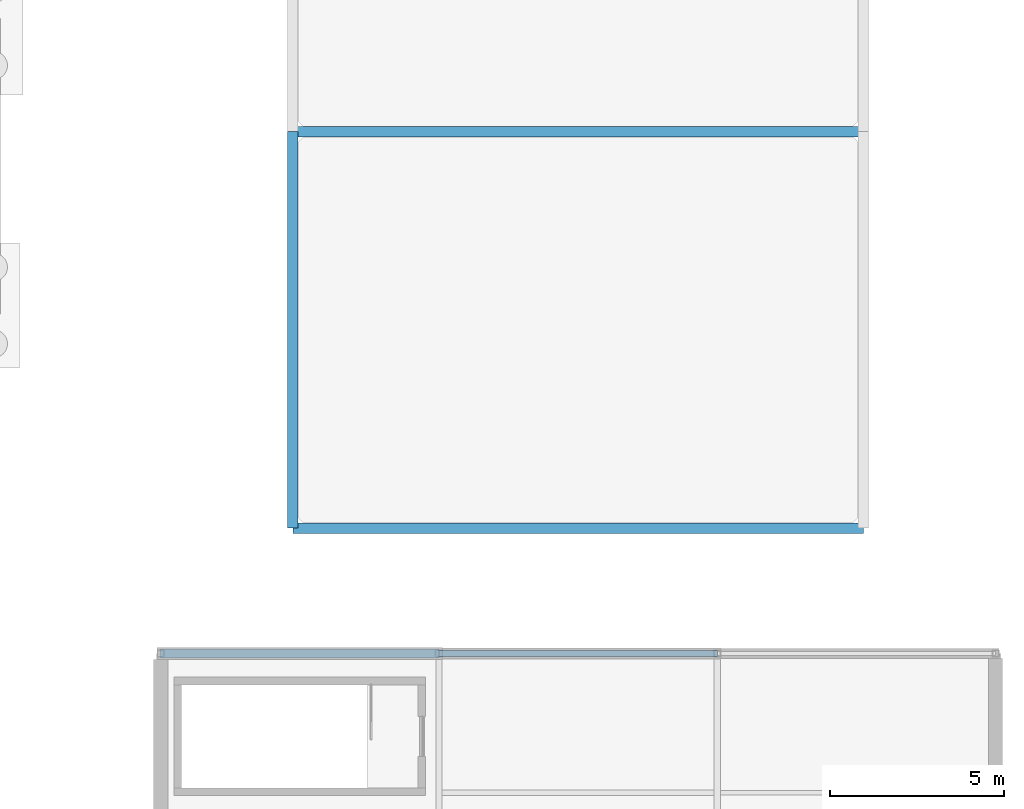
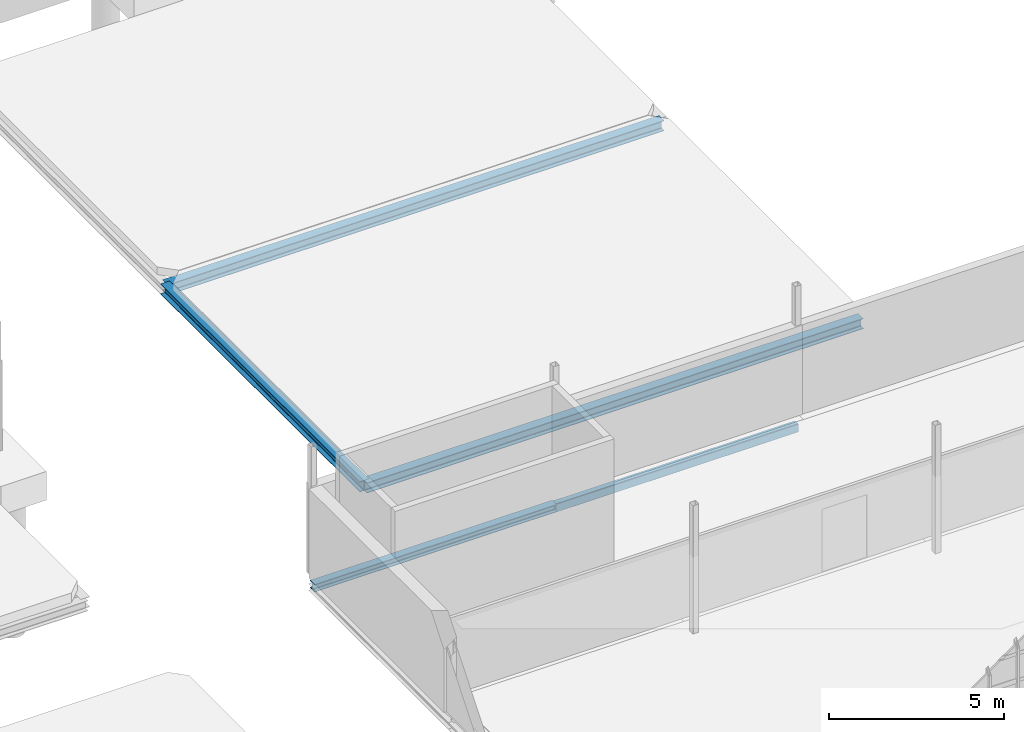
# One storey, part 38 of 125: 5 beams.
"""IFC4 building model written with IfcOpenShell, lengths in metres."""

from ifc_helpers import new_model, si_unit, direction, frame, origin, origin_2d, place, context, subcontext, project, spatial, hollow_rectangle, i_section, extrude, material, material_profile, profile_set, type_object, element, save


model = new_model("IFC4")

# Units and contexts
model_context = context("Model", 3, precision=1e-05, world=origin(), true_north=direction((0.0, 1.0)))
body_context = subcontext(model_context, "Body", "Model", "MODEL_VIEW")
ifc_project = project(units=[si_unit("LENGTHUNIT", "METRE"), si_unit("AREAUNIT", "SQUARE_METRE"), si_unit("VOLUMEUNIT", "CUBIC_METRE"), si_unit("PLANEANGLEUNIT", "RADIAN"), si_unit("MASSUNIT", "GRAM", prefix="KILO")], contexts=[model_context])

# Site, building, storey
site_placement = place(None, origin())
site = spatial("IfcSite", under=ifc_project, at=site_placement, CompositionType="ELEMENT")
building_placement = place(site_placement, origin())
building = spatial("IfcBuilding", under=site, at=building_placement, Name="Serraforn Aerial Cableway Station", CompositionType="ELEMENT")
storey_placement = place(building_placement, frame((0.0, 0.0, 4.5)))
storey = spatial("IfcBuildingStorey", under=building, at=storey_placement, Name="L01", CompositionType="ELEMENT", Elevation=4.5)

# Beams
ifc_material_1 = material(Name="Steel S355JR", Category="steel")
ifc_material_profile_1 = material_profile(ifc_material_1, i_section(OverallWidth=0.300048828125, OverallDepth=0.360107421875, WebThickness=0.010009765625, FlangeThickness=0.017578125, FilletRadius=0.027099609375, at=origin_2d()), Name="HEA 360")
ifc_profile_set_1 = profile_set([ifc_material_profile_1], Name="Steel S355JR")
beam_type_1 = type_object("IfcBeamType", Name="BM-ST-HEA360", PredefinedType="BEAM", material=ifc_profile_set_1)
for number, where, z_axis, x_axis, name in (
    (1, (147.800048828125, 19.60009765625, -0.445068359375), (1.0, 0.0, 0.0), (0.0, 1.0, 0.0), "Colonnade Spandrel Beam EFX-1-1"),
    (2, (147.800048828125, 31.0, -0.445068359375), (1.0, 0.0, 0.0), (0.0, 1.0, 0.0), "Colonnade Spandrel Beam EFX-1-2"),
):
    element("IfcBeam", number, at=place(storey_placement, frame(where, z_axis=z_axis, x_axis=x_axis)), inside=storey, type_object=beam_type_1, Name=name, PredefinedType="BEAM", context=body_context, shape_type="SweptSolid", body=[
        extrude(i_section(OverallWidth=0.300048828125, OverallDepth=0.360107421875, WebThickness=0.010009765625, FlangeThickness=0.017578125, FilletRadius=0.027099609375, at=origin_2d()), origin(), (0.0, 0.0, 1.0), 16.39990234375),
    ])
beam_1_placement = place(storey_placement, frame((147.800048828125, 19.60009765625, -0.445068359375), z_axis=(0.0, 1.0, 0.0), x_axis=(-1.0, 0.0, 0.0)))
element("IfcBeam", 3, at=beam_1_placement, inside=storey, type_object=beam_type_1, Name="Colonnade Cross Beam EFY-1-1", PredefinedType="BEAM", context=body_context, shape_type="SweptSolid", body=[
    extrude(i_section(OverallWidth=0.300048828125, OverallDepth=0.360107421875, WebThickness=0.010009765625, FlangeThickness=0.017578125, FilletRadius=0.027099609375, at=origin_2d()), origin(), (0.0, 0.0, 1.0), 11.39990234375),
])
ifc_material_2 = material(Name="Steel S355J2", Category="steel")
ifc_material_profile_2 = material_profile(ifc_material_2, i_section(OverallWidth=0.260009765625, OverallDepth=0.260009765625, WebThickness=0.010009765625, FlangeThickness=0.017578125, FilletRadius=0.02392578125, at=origin_2d()), Name="HEB 260")
ifc_profile_set_2 = profile_set([ifc_material_profile_2], Name="Steel S355J2")
beam_type_2 = type_object("IfcBeamType", Name="BM-ST-HEB260", PredefinedType="BEAM", material=ifc_profile_set_2)
beam_2_placement = place(storey_placement, frame((144.0, 16.0, -0.449951171875), z_axis=(1.0, 0.0, 0.0), x_axis=(0.0, 1.0, 0.0)))
element("IfcBeam", 4, at=beam_2_placement, inside=storey, type_object=beam_type_2, Name="Grid Girder X ES L01 Y3-1", PredefinedType="BEAM", context=body_context, shape_type="SweptSolid", body=[
    extrude(i_section(OverallWidth=0.260009765625, OverallDepth=0.260009765625, WebThickness=0.010009765625, FlangeThickness=0.017578125, FilletRadius=0.02392578125, at=origin_2d()), origin(), (0.0, 0.0, 1.0), 8.0),
])
ifc_material_profile_3 = material_profile(ifc_material_2, hollow_rectangle(XDim=0.199951171875, YDim=0.300048828125, WallThickness=0.012451171875, InnerFilletRadius=0.012451171875, OuterFilletRadius=0.02490234375, at=origin_2d()), Name="RHS 300x200x12.5")
ifc_profile_set_3 = profile_set([ifc_material_profile_3], Name="Steel S355J2")
beam_type_3 = type_object("IfcBeamType", Name="BM-ST-RHS300", PredefinedType="SPANDREL", material=ifc_profile_set_3)
beam_3_placement = place(storey_placement, frame((152.0, 16.0, -0.469970703125), z_axis=(1.0, 0.0, 0.0), x_axis=(0.0, 1.0, 0.0)))
element("IfcBeam", 5, at=beam_3_placement, inside=storey, type_object=beam_type_3, Name="Grid Girder X ES L01 Y3-2", PredefinedType="SPANDREL", context=body_context, shape_type="SweptSolid", body=[
    extrude(hollow_rectangle(XDim=0.199951171875, YDim=0.300048828125, WallThickness=0.012451171875, InnerFilletRadius=0.012451171875, OuterFilletRadius=0.02490234375, at=origin_2d()), origin(), (0.0, 0.0, 1.0), 8.0),
])

save(model, "model.ifc")
